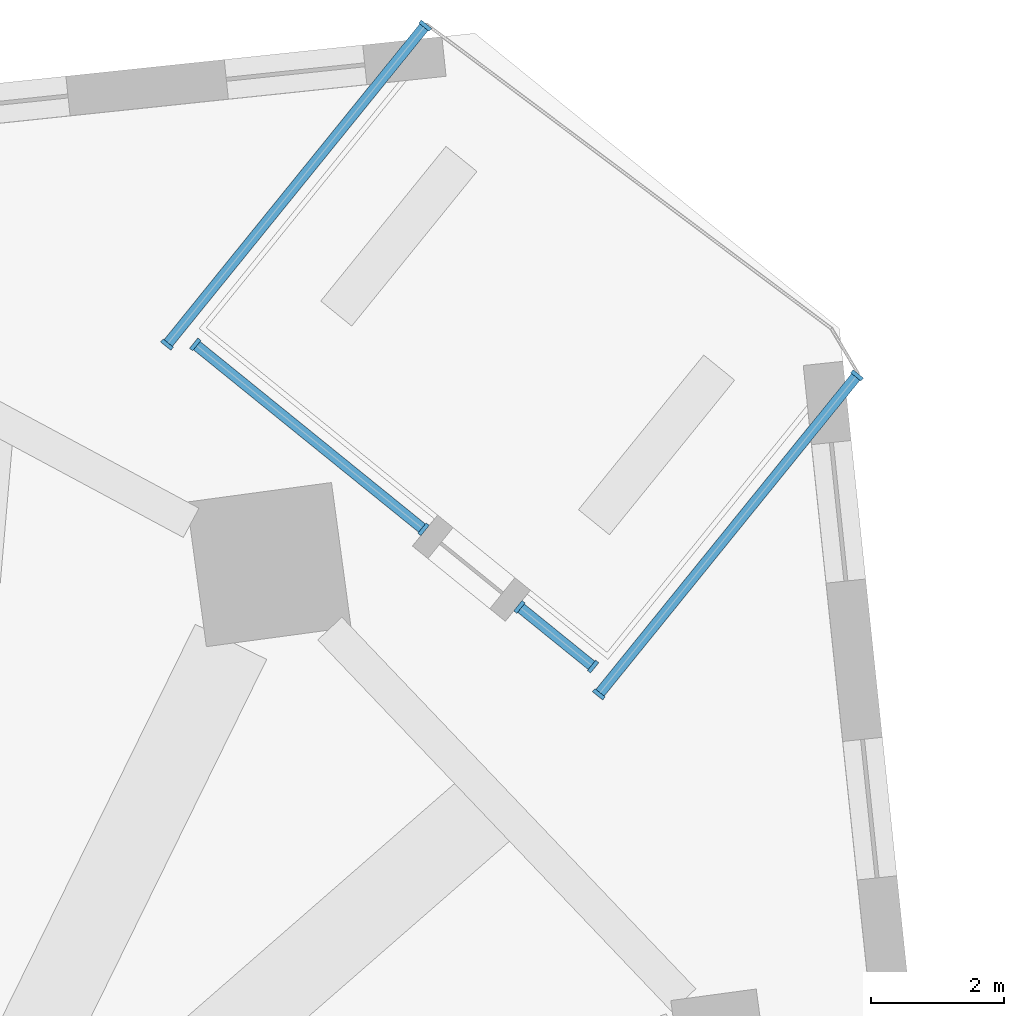
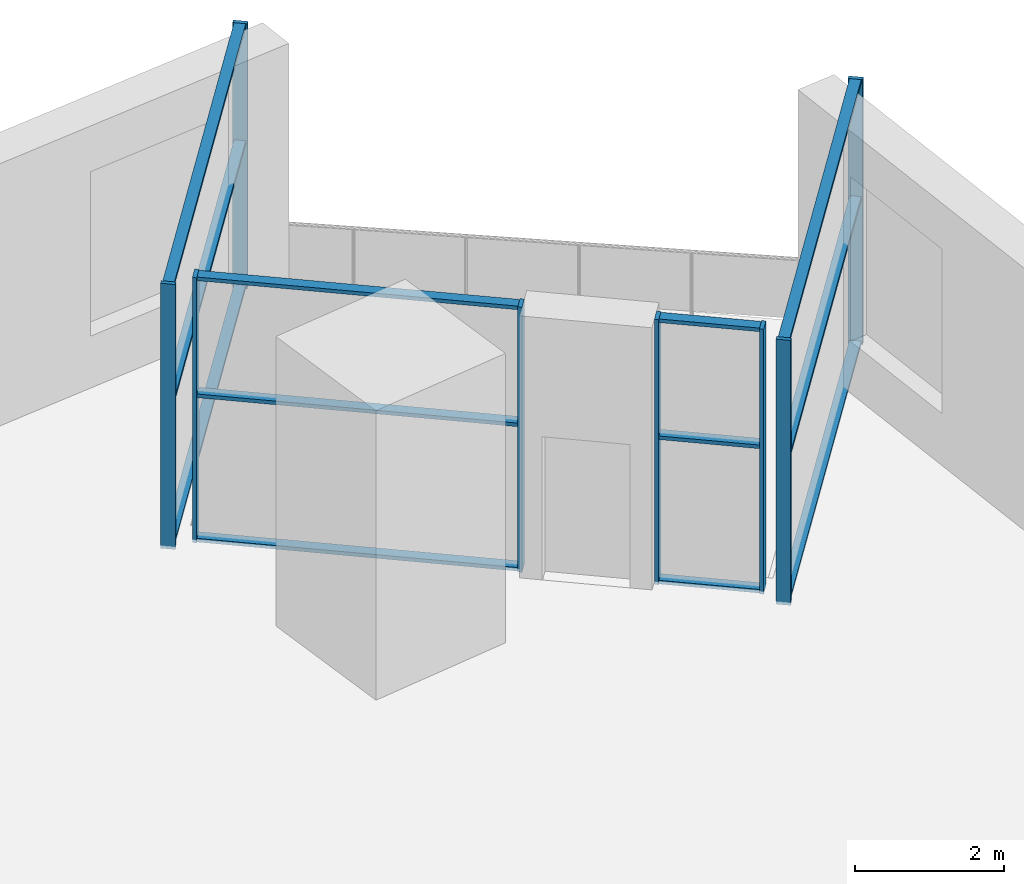
# One storey, part 2 of 10: 20 members, 4 elements without a shape of their own.
"""IFC4 building model written with IfcOpenShell, lengths in metres."""

from ifc_helpers import new_model, si_unit, direction, frame, origin, origin_2d, place, context, subcontext, project, spatial, rectangle, extrude, material, material_profile, profile_set, type_object, element, aggregate, save


model = new_model("IFC4")

# Units and contexts
model_context = context("Model", 3, precision=1e-05, world=origin(), true_north=direction((0.0, 1.0)))
body_context = subcontext(model_context, "Body", "Model", "MODEL_VIEW")
ifc_project = project(units=[si_unit("LENGTHUNIT", "METRE"), si_unit("AREAUNIT", "SQUARE_METRE"), si_unit("VOLUMEUNIT", "CUBIC_METRE"), si_unit("PLANEANGLEUNIT", "RADIAN"), si_unit("MASSUNIT", "GRAM", prefix="KILO")], contexts=[model_context])

# Site, building, storey
site_placement = place(None, origin())
site = spatial("IfcSite", under=ifc_project, at=site_placement, CompositionType="ELEMENT")
building_placement = place(site_placement, origin())
building = spatial("IfcBuilding", under=site, at=building_placement, Name="Dilmun Exchange Tower", CompositionType="ELEMENT")
storey_placement = place(building_placement, frame((0.0, 0.0, 41.699951171875)))
storey = spatial("IfcBuildingStorey", under=building, at=storey_placement, Name="L09", CompositionType="ELEMENT", Elevation=41.699951171875)

# Curtain wall, members
ifc_material_1 = material(Name="Anodised aluminium and clear glass", Category="aluminium")
curtain_wall_type = type_object("IfcCurtainWallType", Name="Garden corner glazing", PredefinedType="NOTDEFINED", material=ifc_material_1)
curtain_wall_1_placement = place(storey_placement, origin())
curtain_wall_1 = element("IfcCurtainWall", 1, at=curtain_wall_1_placement, inside=storey, type_object=curtain_wall_type, Name="Garden corner glazing run GC1.1", PredefinedType="NOTDEFINED")
ifc_material_2 = material(Name="Anodised aluminium", Category="aluminium")
ifc_material_profile_1 = material_profile(ifc_material_2, rectangle(XDim=0.199951171875, YDim=0.06005859375, at=origin_2d()), Name="AL 60x200")
ifc_profile_set_1 = profile_set([ifc_material_profile_1], Name="Anodised aluminium")
member_type_1 = type_object("IfcMemberType", Name="Garden corner glazing mullion 60 x 200", PredefinedType="MULLION", material=ifc_profile_set_1)
member_1_placement = place(storey_placement, frame((27.489013671875, 27.28955078125, 0.0), z_axis=(0.0, 0.0, 1.0), x_axis=(0.777139354096, -0.629328550374, 0.0)))
member_1 = element("IfcMember", 2, at=member_1_placement, type_object=member_type_1, Name="GC1.1 mullion 1", PredefinedType="MULLION", context=body_context, shape_type="SweptSolid", body=[
    extrude(rectangle(XDim=0.199951171875, YDim=0.06005859375, at=origin_2d()), origin(), (0.0, 0.0, 1.0), 4.35009765625),
])
member_2_placement = place(storey_placement, frame((23.595703125, 22.481689453125, 0.0), z_axis=(0.0, 0.0, 1.0), x_axis=(0.777139354096, -0.629328550374, 0.0)))
member_2 = element("IfcMember", 3, at=member_2_placement, type_object=member_type_1, Name="GC1.1 mullion 2", PredefinedType="MULLION", context=body_context, shape_type="SweptSolid", body=[
    extrude(rectangle(XDim=0.199951171875, YDim=0.06005859375, at=origin_2d()), origin(), (0.0, 0.0, 1.0), 4.35009765625),
])

curtain_wall_2_placement = place(storey_placement, origin())
curtain_wall_2 = element("IfcCurtainWall", 4, at=curtain_wall_2_placement, inside=storey, type_object=curtain_wall_type, Name="Garden corner glazing run GC2.1", PredefinedType="NOTDEFINED")
member_3_placement = place(storey_placement, frame((23.50927734375, 22.899169921875, 0.0), z_axis=(0.0, 0.0, 1.0), x_axis=(-0.629327658035, -0.777140076712, 0.0)))
member_3 = element("IfcMember", 5, at=member_3_placement, type_object=member_type_1, Name="GC2.1 mullion 1", PredefinedType="MULLION", context=body_context, shape_type="SweptSolid", body=[
    extrude(rectangle(XDim=0.199951171875, YDim=0.06005859375, at=origin_2d()), origin(), (0.0, 0.0, 1.0), 4.35009765625),
])
member_4_placement = place(storey_placement, frame((22.398681640625, 23.798583984375, 0.0), z_axis=(0.0, 0.0, 1.0), x_axis=(-0.629327658035, -0.777140076712, 0.0)))
member_4 = element("IfcMember", 6, at=member_4_placement, type_object=member_type_1, Name="GC2.1 mullion 2", PredefinedType="MULLION", context=body_context, shape_type="SweptSolid", body=[
    extrude(rectangle(XDim=0.199951171875, YDim=0.06005859375, at=origin_2d()), origin(), (0.0, 0.0, 1.0), 4.35009765625),
])

curtain_wall_3_placement = place(storey_placement, origin())
curtain_wall_3 = element("IfcCurtainWall", 7, at=curtain_wall_3_placement, inside=storey, type_object=curtain_wall_type, Name="Garden corner glazing run GC2.3", PredefinedType="NOTDEFINED")
member_5_placement = place(storey_placement, frame((20.953125, 24.96923828125, 0.0), z_axis=(0.0, 0.0, 1.0), x_axis=(-0.62930780391, -0.777156154153, 0.0)))
member_5 = element("IfcMember", 8, at=member_5_placement, type_object=member_type_1, Name="GC2.3 mullion 1", PredefinedType="MULLION", context=body_context, shape_type="SweptSolid", body=[
    extrude(rectangle(XDim=0.199951171875, YDim=0.06005859375, at=origin_2d()), origin(), (0.0, 0.0, 1.0), 4.35009765625),
])
member_6_placement = place(storey_placement, frame((17.510986328125, 27.75634765625, 0.0), z_axis=(0.0, 0.0, 1.0), x_axis=(-0.62930780391, -0.777156154153, 0.0)))
member_6 = element("IfcMember", 9, at=member_6_placement, type_object=member_type_1, Name="GC2.3 mullion 2", PredefinedType="MULLION", context=body_context, shape_type="SweptSolid", body=[
    extrude(rectangle(XDim=0.199951171875, YDim=0.06005859375, at=origin_2d()), origin(), (0.0, 0.0, 1.0), 4.35009765625),
])

curtain_wall_4_placement = place(storey_placement, origin())
curtain_wall_4 = element("IfcCurtainWall", 10, at=curtain_wall_4_placement, inside=storey, type_object=curtain_wall_type, Name="Garden corner glazing run GC3.1", PredefinedType="NOTDEFINED")
member_7_placement = place(storey_placement, frame((17.084716796875, 27.75439453125, 0.0), z_axis=(0.0, 0.0, 1.0), x_axis=(-0.777147183723, 0.629318881674, 0.0)))
member_7 = element("IfcMember", 11, at=member_7_placement, type_object=member_type_1, Name="GC3.1 mullion 1", PredefinedType="MULLION", context=body_context, shape_type="SweptSolid", body=[
    extrude(rectangle(XDim=0.199951171875, YDim=0.06005859375, at=origin_2d()), origin(), (0.0, 0.0, 1.0), 4.35009765625),
])
member_8_placement = place(storey_placement, frame((20.97802734375, 32.56201171875, 0.0), z_axis=(0.0, 0.0, 1.0), x_axis=(-0.777147183723, 0.629318881674, 0.0)))
member_8 = element("IfcMember", 12, at=member_8_placement, type_object=member_type_1, Name="GC3.1 mullion 2", PredefinedType="MULLION", context=body_context, shape_type="SweptSolid", body=[
    extrude(rectangle(XDim=0.199951171875, YDim=0.06005859375, at=origin_2d()), origin(), (0.0, 0.0, 1.0), 4.35009765625),
])

# Member
ifc_material_profile_2 = material_profile(ifc_material_2, rectangle(XDim=0.159912109375, YDim=0.06005859375, at=origin_2d()), Name="AL 60x160")
ifc_profile_set_2 = profile_set([ifc_material_profile_2], Name="Anodised aluminium")
member_type_2 = type_object("IfcMemberType", Name="Garden corner glazing transom 60 x 160", PredefinedType="USERDEFINED", material=ifc_profile_set_2)
member_9_placement = place(storey_placement, frame((27.47021484375, 27.26611328125, 0.030029296875), z_axis=(-0.629354123072, -0.777118644592, 0.0), x_axis=(0.777118644592, -0.629354123072, 0.0)))
member_9 = element("IfcMember", 13, at=member_9_placement, type_object=member_type_2, Name="GC1.1 transom 1.1", ObjectType="TRANSOM", PredefinedType="USERDEFINED", context=body_context, shape_type="SweptSolid", body=[
    extrude(rectangle(XDim=0.159912109375, YDim=0.06005859375, at=origin_2d()), origin(), (0.0, 0.0, 1.0), 6.12646484375),
])

member_10_placement = place(storey_placement, frame((27.47021484375, 27.26611328125, 2.400146484375), z_axis=(-0.629354123072, -0.777118644592, 0.0), x_axis=(0.777118644592, -0.629354123072, 0.0)))
member_10 = element("IfcMember", 14, at=member_10_placement, type_object=member_type_2, Name="GC1.1 transom 1.2", ObjectType="TRANSOM", PredefinedType="USERDEFINED", context=body_context, shape_type="SweptSolid", body=[
    extrude(rectangle(XDim=0.159912109375, YDim=0.06005859375, at=origin_2d()), origin(), (0.0, 0.0, 1.0), 6.12646484375),
])

member_11_placement = place(storey_placement, frame((27.47021484375, 27.26611328125, 4.320068359375), z_axis=(-0.629354123072, -0.777118644592, 0.0), x_axis=(0.777118644592, -0.629354123072, 0.0)))
member_11 = element("IfcMember", 15, at=member_11_placement, type_object=member_type_2, Name="GC1.1 transom 1.3", ObjectType="TRANSOM", PredefinedType="USERDEFINED", context=body_context, shape_type="SweptSolid", body=[
    extrude(rectangle(XDim=0.159912109375, YDim=0.06005859375, at=origin_2d()), origin(), (0.0, 0.0, 1.0), 6.12646484375),
])

aggregate(curtain_wall_1, [member_1, member_2, member_9, member_10, member_11])

member_12_placement = place(storey_placement, frame((23.48583984375, 22.918212890625, 0.030029296875), z_axis=(-0.777149346845, 0.629316210421, 0.0), x_axis=(-0.629316210421, -0.777149346845, 0.0)))
member_12 = element("IfcMember", 16, at=member_12_placement, type_object=member_type_2, Name="GC2.1 transom 1.1", ObjectType="TRANSOM", PredefinedType="USERDEFINED", context=body_context, shape_type="SweptSolid", body=[
    extrude(rectangle(XDim=0.159912109375, YDim=0.06005859375, at=origin_2d()), origin(), (0.0, 0.0, 1.0), 1.369140625),
])

member_13_placement = place(storey_placement, frame((23.48583984375, 22.918212890625, 2.400146484375), z_axis=(-0.777149346845, 0.629316210421, 0.0), x_axis=(-0.629316210421, -0.777149346845, 0.0)))
member_13 = element("IfcMember", 17, at=member_13_placement, type_object=member_type_2, Name="GC2.1 transom 1.2", ObjectType="TRANSOM", PredefinedType="USERDEFINED", context=body_context, shape_type="SweptSolid", body=[
    extrude(rectangle(XDim=0.159912109375, YDim=0.06005859375, at=origin_2d()), origin(), (0.0, 0.0, 1.0), 1.369140625),
])

member_14_placement = place(storey_placement, frame((23.48583984375, 22.918212890625, 4.320068359375), z_axis=(-0.777149346845, 0.629316210421, 0.0), x_axis=(-0.629316210421, -0.777149346845, 0.0)))
member_14 = element("IfcMember", 18, at=member_14_placement, type_object=member_type_2, Name="GC2.1 transom 1.3", ObjectType="TRANSOM", PredefinedType="USERDEFINED", context=body_context, shape_type="SweptSolid", body=[
    extrude(rectangle(XDim=0.159912109375, YDim=0.06005859375, at=origin_2d()), origin(), (0.0, 0.0, 1.0), 1.369140625),
])

aggregate(curtain_wall_2, [member_3, member_4, member_12, member_13, member_14])

member_15_placement = place(storey_placement, frame((20.9296875, 24.988037109375, 0.030029296875), z_axis=(-0.777136848202, 0.629331644816, 0.0), x_axis=(-0.629331644816, -0.777136848202, 0.0)))
member_15 = element("IfcMember", 19, at=member_15_placement, type_object=member_type_2, Name="GC2.3 transom 1.1", ObjectType="TRANSOM", PredefinedType="USERDEFINED", context=body_context, shape_type="SweptSolid", body=[
    extrude(rectangle(XDim=0.159912109375, YDim=0.06005859375, at=origin_2d()), origin(), (0.0, 0.0, 1.0), 4.368896484375),
])

member_16_placement = place(storey_placement, frame((20.9296875, 24.988037109375, 2.400146484375), z_axis=(-0.777136848202, 0.629331644816, 0.0), x_axis=(-0.629331644816, -0.777136848202, 0.0)))
member_16 = element("IfcMember", 20, at=member_16_placement, type_object=member_type_2, Name="GC2.3 transom 1.2", ObjectType="TRANSOM", PredefinedType="USERDEFINED", context=body_context, shape_type="SweptSolid", body=[
    extrude(rectangle(XDim=0.159912109375, YDim=0.06005859375, at=origin_2d()), origin(), (0.0, 0.0, 1.0), 4.368896484375),
])

member_17_placement = place(storey_placement, frame((20.9296875, 24.988037109375, 4.320068359375), z_axis=(-0.777136848202, 0.629331644816, 0.0), x_axis=(-0.629331644816, -0.777136848202, 0.0)))
member_17 = element("IfcMember", 21, at=member_17_placement, type_object=member_type_2, Name="GC2.3 transom 1.3", ObjectType="TRANSOM", PredefinedType="USERDEFINED", context=body_context, shape_type="SweptSolid", body=[
    extrude(rectangle(XDim=0.159912109375, YDim=0.06005859375, at=origin_2d()), origin(), (0.0, 0.0, 1.0), 4.368896484375),
])

aggregate(curtain_wall_3, [member_5, member_6, member_15, member_16, member_17])

member_18_placement = place(storey_placement, frame((17.103515625, 27.777587890625, 0.030029296875), z_axis=(0.629310566229, 0.777153917337, 0.0), x_axis=(-0.777153917337, 0.629310566229, 0.0)))
member_18 = element("IfcMember", 22, at=member_18_placement, type_object=member_type_2, Name="GC3.1 transom 1.1", ObjectType="TRANSOM", PredefinedType="USERDEFINED", context=body_context, shape_type="SweptSolid", body=[
    extrude(rectangle(XDim=0.159912109375, YDim=0.06005859375, at=origin_2d()), origin(), (0.0, 0.0, 1.0), 6.12646484375),
])

member_19_placement = place(storey_placement, frame((17.103515625, 27.777587890625, 2.400146484375), z_axis=(0.629310566229, 0.777153917337, 0.0), x_axis=(-0.777153917337, 0.629310566229, 0.0)))
member_19 = element("IfcMember", 23, at=member_19_placement, type_object=member_type_2, Name="GC3.1 transom 1.2", ObjectType="TRANSOM", PredefinedType="USERDEFINED", context=body_context, shape_type="SweptSolid", body=[
    extrude(rectangle(XDim=0.159912109375, YDim=0.06005859375, at=origin_2d()), origin(), (0.0, 0.0, 1.0), 6.12646484375),
])

member_20_placement = place(storey_placement, frame((17.103515625, 27.777587890625, 4.320068359375), z_axis=(0.629310566229, 0.777153917337, 0.0), x_axis=(-0.777153917337, 0.629310566229, 0.0)))
member_20 = element("IfcMember", 24, at=member_20_placement, type_object=member_type_2, Name="GC3.1 transom 1.3", ObjectType="TRANSOM", PredefinedType="USERDEFINED", context=body_context, shape_type="SweptSolid", body=[
    extrude(rectangle(XDim=0.159912109375, YDim=0.06005859375, at=origin_2d()), origin(), (0.0, 0.0, 1.0), 6.12646484375),
])

aggregate(curtain_wall_4, [member_7, member_8, member_18, member_19, member_20])

save(model, "model.ifc")
